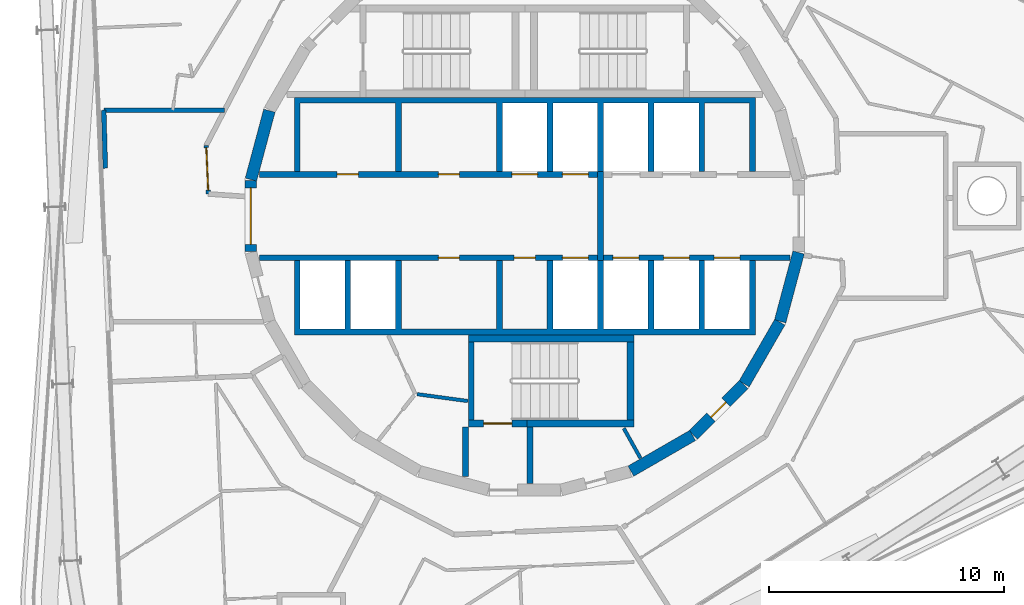
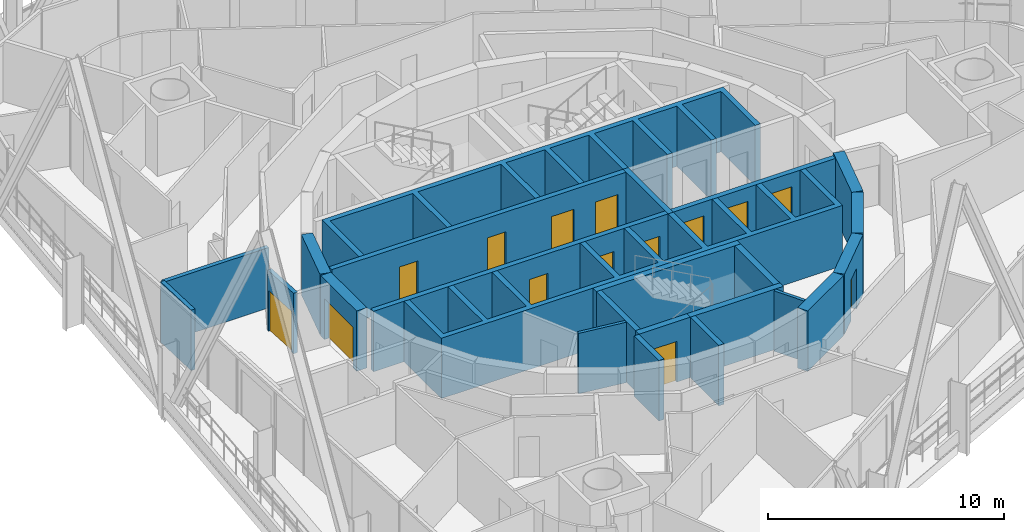
# One storey, part 13 of 20: 24 walls, 14 doors, 14 openings.
"""IFC4 building model written with IfcOpenShell, lengths in metres."""

from ifc_helpers import new_model, si_unit, direction, frame, frame_2d, origin, place, context, subcontext, project, spatial, polyline, rectangle, outline, extrude, material, layer, layer_set, type_object, element, fill, save


model = new_model("IFC4")

# Units and contexts
model_context = context("Model", 3, precision=1e-05, world=origin(), true_north=direction((0.0, 1.0)))
body_context = subcontext(model_context, "Body", "Model", "MODEL_VIEW")
ifc_project = project(units=[si_unit("LENGTHUNIT", "METRE"), si_unit("AREAUNIT", "SQUARE_METRE"), si_unit("VOLUMEUNIT", "CUBIC_METRE"), si_unit("PLANEANGLEUNIT", "RADIAN"), si_unit("MASSUNIT", "GRAM", prefix="KILO")], contexts=[model_context])

# Site, building, storey
site_placement = place(None, origin())
site = spatial("IfcSite", under=ifc_project, at=site_placement, CompositionType="ELEMENT")
building_placement = place(site_placement, origin())
building = spatial("IfcBuilding", under=site, at=building_placement, Name="Spindle Arch Residences", CompositionType="ELEMENT")
storey_placement = place(building_placement, frame((0.0, 0.0, 226.699951171875)))
storey = spatial("IfcBuildingStorey", under=building, at=storey_placement, Name="L57", CompositionType="ELEMENT", Elevation=226.699951171875)

# Wall
ifc_material_1 = material(Name="Concrete C50/60", Category="concrete")
ifc_layer_1 = layer(ifc_material_1, 0.5)
ifc_layer_set_1 = layer_set([ifc_layer_1], Name="Core outline wall 500")
wall_type_1 = type_object("IfcWallType", Name="Core outline wall 500", PredefinedType="SHEAR", material=ifc_layer_set_1)
wall_1_placement = place(storey_placement, frame((4.510498046875, -10.84521484375, 0.0), z_axis=(0.0, 0.0, 1.0), x_axis=(0.865975092491, 0.500087131594, 0.0)))
element("IfcWall", 1, at=wall_1_placement, inside=storey, type_object=wall_type_1, Name="Core outline wall 2", PredefinedType="SHEAR", context=body_context, shape_type="SweptSolid", body=[
    extrude(rectangle(XDim=3.03271484375, YDim=0.5, at=frame_2d((1.516357421875, 0.0))), origin(), (0.0, 0.0, 1.0), 3.1201171875),
])

# Wall, opening, door
wall_2_placement = place(storey_placement, frame((7.163818359375, -9.30810546875, 0.0), z_axis=(0.0, 0.0, 1.0), x_axis=(0.707106781187, 0.707106781187, 0.0)))
wall_2 = element("IfcWall", 2, at=wall_2_placement, inside=storey, type_object=wall_type_1, Name="Core outline wall 3", PredefinedType="SHEAR", context=body_context, shape_type="SweptSolid", body=[
    extrude(rectangle(XDim=3.032470703125, YDim=0.5, at=frame_2d((1.51611328125, 0.0))), origin(), (0.0, 0.0, 1.0), 3.1201171875),
])
opening_1_placement = place(wall_2_placement, frame((1.06640625, 0.0, 0.0)))
opening_1 = element("IfcOpeningElement", 3, at=opening_1_placement, cuts=wall_2, Name="Opening R6A0-WD08", PredefinedType="OPENING", context=body_context, shape_type="SweptSolid", body=[
    extrude(rectangle(XDim=0.89990234375, YDim=2.10009765625, at=frame_2d((0.449951171875, 1.050048828125))), frame((0.0, 0.260009765625, 0.0), z_axis=(0.0, -1.0, 0.0), x_axis=(1.0, 0.0, 0.0)), (0.0, 0.0, 1.0), 0.52001953125),
])
ifc_material_2 = material(Name="Steel, fire-resisting door", Category="steel")
door_type_1 = type_object("IfcDoorType", Name="Service room door 900x2100", OperationType="SINGLE_SWING_LEFT", PredefinedType="DOOR", material=ifc_material_2)
door_1_placement = place(opening_1_placement, origin())
door_1 = element("IfcDoor", 4, at=door_1_placement, inside=storey, type_object=door_type_1, Name="Service room door R6A0-WD08", OperationType="SINGLE_SWING_RIGHT", OverallHeight=2.10009765625, OverallWidth=0.89990234375, PredefinedType="DOOR", context=body_context, shape_type="SweptSolid", body=[
    extrude(rectangle(XDim=0.89990234375, YDim=2.10009765625, at=frame_2d((0.449951171875, 1.050048828125))), frame((0.0, 0.02490234375, 0.0), z_axis=(0.0, -1.0, 0.0), x_axis=(1.0, 0.0, 0.0)), (0.0, 0.0, 1.0), 0.050048828125),
])
fill(opening_1, door_1)

# Walls
for number, where, z_axis, x_axis, name in (
    (5, (9.32861328125, -7.13671875, 0.0), (0.0, 0.0, 1.0), (0.500087131594, 0.865975092491, 0.0), "Core outline wall 4"),
    (6, (10.858154296875, -4.479248046875, 0.0), (0.0, 0.0, 1.0), (0.258734743916, 0.965948410781, 0.0), "Core outline wall 5"),
    (7, (-10.858154296875, 4.479248046875, 0.0), (0.0, 0.0, 1.0), (-0.258734743916, -0.965948410781, 0.0), "Core outline wall 17"),
):
    element("IfcWall", number, at=place(storey_placement, frame(where, z_axis=z_axis, x_axis=x_axis)), inside=storey, type_object=wall_type_1, Name=name, PredefinedType="SHEAR", context=body_context, shape_type="SweptSolid", body=[
        extrude(rectangle(XDim=3.03271484375, YDim=0.5, at=frame_2d((1.516357421875, 0.0))), origin(), (0.0, 0.0, 1.0), 3.1201171875),
    ])

# Wall, opening, door
wall_3_placement = place(storey_placement, frame((-11.647216796875, 1.516357421875, 0.0), z_axis=(0.0, 0.0, 1.0), x_axis=(0.0, -1.0, 0.0)))
wall_3 = element("IfcWall", 8, at=wall_3_placement, inside=storey, type_object=wall_type_1, Name="Core outline wall 18", PredefinedType="SHEAR", context=body_context, shape_type="SweptSolid", body=[
    extrude(rectangle(XDim=3.03271484375, YDim=0.5, at=frame_2d((1.516357421875, 0.0))), origin(), (0.0, 0.0, 1.0), 3.1201171875),
])
opening_2_placement = place(wall_3_placement, frame((0.31640625, 0.0, 0.0)))
opening_2 = element("IfcOpeningElement", 9, at=opening_2_placement, cuts=wall_3, Name="Opening R6A0-LE01", PredefinedType="OPENING", context=body_context, shape_type="SweptSolid", body=[
    extrude(rectangle(XDim=2.39990234375, YDim=2.10009765625, at=frame_2d((1.199951171875, 1.050048828125))), frame((0.0, 0.260009765625, 0.0), z_axis=(0.0, -1.0, 0.0), x_axis=(1.0, 0.0, 0.0)), (0.0, 0.0, 1.0), 0.52001953125),
])
ifc_material_3 = material(Name="Steel, fire-resisting door", Category="steel")
door_type_2 = type_object("IfcDoorType", Name="Lift lobby entrance door 2400x2100", OperationType="DOUBLE_DOOR_SINGLE_SWING", PredefinedType="DOOR", material=ifc_material_3)
door_2_placement = place(opening_2_placement, origin())
door_2 = element("IfcDoor", 10, at=door_2_placement, inside=storey, type_object=door_type_2, Name="Lift lobby entrance door R6A0-LE01", OperationType="DOUBLE_DOOR_SINGLE_SWING", OverallHeight=2.10009765625, OverallWidth=2.39990234375, PredefinedType="DOOR", context=body_context, shape_type="SweptSolid", body=[
    extrude(rectangle(XDim=2.39990234375, YDim=2.10009765625, at=frame_2d((1.199951171875, 1.050048828125))), frame((0.0, 0.02490234375, 0.0), z_axis=(0.0, -1.0, 0.0), x_axis=(1.0, 0.0, 0.0)), (0.0, 0.0, 1.0), 0.050048828125),
])
fill(opening_2, door_2)

# Wall
ifc_material_4 = material(Name="Concrete C40/50", Category="concrete")
ifc_layer_2 = layer(ifc_material_4, 0.25)
ifc_layer_set_2 = layer_set([ifc_layer_2], Name="Fire-lift lobby wall 250")
wall_type_2 = type_object("IfcWallType", Name="Fire-lift lobby wall 250", PredefinedType="SHEAR", material=ifc_layer_set_2)
wall_4_placement = place(storey_placement, frame((3.22509765625, -1.89990234375, 0.0), z_axis=(0.0, 0.0, 1.0), x_axis=(0.0, 1.0, 0.0)))
element("IfcWall", 11, at=wall_4_placement, inside=storey, type_object=wall_type_2, Name="Fire-fighting lobby partition", PredefinedType="SHEAR", context=body_context, shape_type="SweptSolid", body=[
    extrude(rectangle(XDim=3.7998046875, YDim=0.25, at=frame_2d((1.89990234375, 0.0))), origin(), (0.0, 0.0, 1.0), 3.1201171875),
])

# Wall, openings, doors
ifc_material_5 = material(Name="Concrete C50/60", Category="concrete")
ifc_layer_3 = layer(ifc_material_5, 0.25)
ifc_layer_set_3 = layer_set([ifc_layer_3], Name="Fire-lift shaft wall 250")
wall_type_3 = type_object("IfcWallType", Name="Fire-lift shaft wall 250", PredefinedType="SHEAR", material=ifc_layer_set_3)
wall_5_placement = place(storey_placement, frame((3.35009765625, -1.77490234375, 0.0), z_axis=(0.0, 0.0, 1.0), x_axis=(1.0, 0.0, 0.0)))
wall_5 = element("IfcWall", 12, at=wall_5_placement, inside=storey, type_object=wall_type_3, Name="Lift shaft front wall SE", PredefinedType="SHEAR", context=body_context, shape_type="SweptSolid", body=[
    extrude(rectangle(XDim=7.929931640625, YDim=0.25, at=frame_2d((3.96484375, 0.0))), origin(), (0.0, 0.0, 1.0), 3.1201171875),
])
opening_3_placement = place(wall_5_placement, frame((0.39990234375, 0.0, 0.0)))
opening_3 = element("IfcOpeningElement", 13, at=opening_3_placement, cuts=wall_5, Name="Opening R6A0-FLD01", PredefinedType="OPENING", context=body_context, shape_type="SweptSolid", body=[
    extrude(rectangle(XDim=1.10009765625, YDim=2.39990234375, at=frame_2d((0.550048828125, 1.199951171875))), frame((0.0, 0.135009765625, 0.0), z_axis=(0.0, -1.0, 0.0), x_axis=(1.0, 0.0, 0.0)), (0.0, 0.0, 1.0), 0.27001953125),
])
opening_4_placement = place(wall_5_placement, frame((2.550048828125, 0.0, 0.0)))
opening_4 = element("IfcOpeningElement", 14, at=opening_4_placement, cuts=wall_5, Name="Opening R6A0-FLD02", PredefinedType="OPENING", context=body_context, shape_type="SweptSolid", body=[
    extrude(rectangle(XDim=1.10009765625, YDim=2.39990234375, at=frame_2d((0.550048828125, 1.199951171875))), frame((0.0, 0.135009765625, 0.0), z_axis=(0.0, -1.0, 0.0), x_axis=(1.0, 0.0, 0.0)), (0.0, 0.0, 1.0), 0.27001953125),
])
opening_5_placement = place(wall_5_placement, frame((4.699951171875, 0.0, 0.0)))
opening_5 = element("IfcOpeningElement", 15, at=opening_5_placement, cuts=wall_5, Name="Opening R6A0-FLD03", PredefinedType="OPENING", context=body_context, shape_type="SweptSolid", body=[
    extrude(rectangle(XDim=1.10009765625, YDim=2.39990234375, at=frame_2d((0.550048828125, 1.199951171875))), frame((0.0, 0.135009765625, 0.0), z_axis=(0.0, -1.0, 0.0), x_axis=(1.0, 0.0, 0.0)), (0.0, 0.0, 1.0), 0.27001953125),
])
ifc_material_6 = material(Name="Steel, fire-resisting landing door", Category="steel")
door_type_3 = type_object("IfcDoorType", Name="Fire-fighting lift landing door 1100x2400", OperationType="DOUBLE_DOOR_SLIDING", PredefinedType="DOOR", material=ifc_material_6)
door_3_placement = place(opening_3_placement, origin())
door_3 = element("IfcDoor", 16, at=door_3_placement, inside=storey, type_object=door_type_3, Name="Fire-fighting lift landing door R6A0-FLD01", OperationType="DOUBLE_DOOR_SLIDING", OverallHeight=2.39990234375, OverallWidth=1.10009765625, PredefinedType="DOOR", context=body_context, shape_type="SweptSolid", body=[
    extrude(rectangle(XDim=1.10009765625, YDim=2.39990234375, at=frame_2d((0.550048828125, 1.199951171875))), frame((0.0, 0.02490234375, 0.0), z_axis=(0.0, -1.0, 0.0), x_axis=(1.0, 0.0, 0.0)), (0.0, 0.0, 1.0), 0.050048828125),
])
fill(opening_3, door_3)
door_4_placement = place(opening_4_placement, origin())
door_4 = element("IfcDoor", 17, at=door_4_placement, inside=storey, type_object=door_type_3, Name="Fire-fighting lift landing door R6A0-FLD02", OperationType="DOUBLE_DOOR_SLIDING", OverallHeight=2.39990234375, OverallWidth=1.10009765625, PredefinedType="DOOR", context=body_context, shape_type="SweptSolid", body=[
    extrude(rectangle(XDim=1.10009765625, YDim=2.39990234375, at=frame_2d((0.550048828125, 1.199951171875))), frame((0.0, 0.02490234375, 0.0), z_axis=(0.0, -1.0, 0.0), x_axis=(1.0, 0.0, 0.0)), (0.0, 0.0, 1.0), 0.050048828125),
])
fill(opening_4, door_4)
door_5_placement = place(opening_5_placement, origin())
door_5 = element("IfcDoor", 18, at=door_5_placement, inside=storey, type_object=door_type_3, Name="Fire-fighting lift landing door R6A0-FLD03", OperationType="DOUBLE_DOOR_SLIDING", OverallHeight=2.39990234375, OverallWidth=1.10009765625, PredefinedType="DOOR", context=body_context, shape_type="SweptSolid", body=[
    extrude(rectangle(XDim=1.10009765625, YDim=2.39990234375, at=frame_2d((0.550048828125, 1.199951171875))), frame((0.0, 0.02490234375, 0.0), z_axis=(0.0, -1.0, 0.0), x_axis=(1.0, 0.0, 0.0)), (0.0, 0.0, 1.0), 0.050048828125),
])
fill(opening_5, door_5)

# Wall, opening, door
ifc_material_7 = material(Name="Calcium silicate block, plastered")
ifc_layer_4 = layer(ifc_material_7, 0.199951171875)
ifc_layer_set_4 = layer_set([ifc_layer_4], Name="Lift lobby bay wall 200")
wall_type_4 = type_object("IfcWallType", Name="Lift lobby bay wall 200", PredefinedType="STANDARD", material=ifc_layer_set_4)
wall_6_placement = place(storey_placement, frame((-13.5439453125, 3.002685546875, 0.0), z_axis=(0.0, 0.0, 1.0), x_axis=(0.043652842459, -0.99904676034, 0.0)))
wall_6 = element("IfcWall", 19, at=wall_6_placement, inside=storey, type_object=wall_type_4, Name="Lift lobby bay wall R6A0-W008", PredefinedType="STANDARD", context=body_context, shape_type="SweptSolid", body=[
    extrude(rectangle(XDim=2.063720703125, YDim=0.199951171875, at=frame_2d((1.03173828125, 0.0))), origin(), (0.0, 0.0, 1.0), 3.1201171875),
])
opening_6_placement = place(wall_6_placement, frame((0.10009765625, 0.0, 0.0)))
opening_6 = element("IfcOpeningElement", 20, at=opening_6_placement, cuts=wall_6, Name="Opening R6A0-LB01", PredefinedType="OPENING", context=body_context, shape_type="SweptSolid", body=[
    extrude(rectangle(XDim=1.800048828125, YDim=2.10009765625, at=frame_2d((0.89990234375, 1.050048828125))), frame((0.0, 0.10986328125, 0.0), z_axis=(0.0, -1.0, 0.0), x_axis=(1.0, 0.0, 0.0)), (0.0, 0.0, 1.0), 0.219970703125),
])
ifc_material_8 = material(Name="Steel, fire-resisting door", Category="steel")
door_type_4 = type_object("IfcDoorType", Name="Lift lobby bay door 1800x2100", OperationType="NOTDEFINED", PredefinedType="DOOR", material=ifc_material_8)
door_6_placement = place(opening_6_placement, origin())
door_6 = element("IfcDoor", 21, at=door_6_placement, inside=storey, type_object=door_type_4, Name="Lift lobby bay door R6A0-LB01", OperationType="DOUBLE_DOOR_SINGLE_SWING", OverallHeight=2.10009765625, OverallWidth=1.800048828125, PredefinedType="DOOR", context=body_context, shape_type="SweptSolid", body=[
    extrude(rectangle(XDim=1.800048828125, YDim=2.10009765625, at=frame_2d((0.89990234375, 1.050048828125))), frame((0.0, 0.02490234375, 0.0), z_axis=(0.0, -1.0, 0.0), x_axis=(1.0, 0.0, 0.0)), (0.0, 0.0, 1.0), 0.050048828125),
])
fill(opening_6, door_6)

# Walls
wall_7_placement = place(storey_placement, frame((-12.764404296875, 4.5, 0.0), z_axis=(0.0, 0.0, 1.0), x_axis=(-1.0, 0.0, 0.0)))
element("IfcWall", 22, at=wall_7_placement, inside=storey, type_object=wall_type_4, Name="Lift lobby bay wall R6A0-W022", PredefinedType="STANDARD", context=body_context, shape_type="SweptSolid", body=[
    extrude(rectangle(XDim=5.135498046875, YDim=0.199951171875, at=frame_2d((2.56787109375, 0.0))), origin(), (0.0, 0.0, 1.0), 3.1201171875),
])
wall_8_placement = place(storey_placement, frame((-17.89990234375, 4.5, 0.0), z_axis=(0.0, 0.0, 1.0), x_axis=(0.027204178319, -0.999629897853, 0.0)))
element("IfcWall", 23, at=wall_8_placement, inside=storey, type_object=wall_type_4, Name="Lift lobby bay wall R6A0-W023", PredefinedType="STANDARD", context=body_context, shape_type="SweptSolid", body=[
    extrude(rectangle(XDim=2.468017578125, YDim=0.199951171875, at=frame_2d((1.23388671875, 0.0))), origin(), (0.0, 0.0, 1.0), 3.1201171875),
])

# Wall, openings, doors
ifc_material_9 = material(Name="Concrete C50/60", Category="concrete")
ifc_layer_5 = layer(ifc_material_9, 0.25)
ifc_layer_set_5 = layer_set([ifc_layer_5], Name="Lift shaft wall 250")
wall_type_5 = type_object("IfcWallType", Name="Lift shaft wall 250", PredefinedType="SHEAR", material=ifc_layer_set_5)
wall_9_placement = place(storey_placement, frame((-11.280029296875, 1.77490234375, 0.0), z_axis=(0.0, 0.0, 1.0), x_axis=(1.0, 0.0, 0.0)))
wall_9 = element("IfcWall", 24, at=wall_9_placement, inside=storey, type_object=wall_type_5, Name="Lift shaft front wall NW", PredefinedType="SHEAR", context=body_context, shape_type="SweptSolid", body=[
    extrude(rectangle(XDim=14.380126953125, YDim=0.25, at=frame_2d((7.18994140625, 0.0))), origin(), (0.0, 0.0, 1.0), 3.1201171875),
])
opening_7_placement = place(wall_9_placement, frame((10.72998046875, 0.0, 0.0)))
opening_7 = element("IfcOpeningElement", 25, at=opening_7_placement, cuts=wall_9, Name="Opening R6A0-LD01", PredefinedType="OPENING", context=body_context, shape_type="SweptSolid", body=[
    extrude(rectangle(XDim=1.10009765625, YDim=2.10009765625, at=frame_2d((0.550048828125, 1.050048828125))), frame((0.0, 0.135009765625, 0.0), z_axis=(0.0, -1.0, 0.0), x_axis=(1.0, 0.0, 0.0)), (0.0, 0.0, 1.0), 0.27001953125),
])
opening_8_placement = place(wall_9_placement, frame((12.8798828125, 0.0, 0.0)))
opening_8 = element("IfcOpeningElement", 26, at=opening_8_placement, cuts=wall_9, Name="Opening R6A0-LD02", PredefinedType="OPENING", context=body_context, shape_type="SweptSolid", body=[
    extrude(rectangle(XDim=1.10009765625, YDim=2.10009765625, at=frame_2d((0.550048828125, 1.050048828125))), frame((0.0, 0.135009765625, 0.0), z_axis=(0.0, -1.0, 0.0), x_axis=(1.0, 0.0, 0.0)), (0.0, 0.0, 1.0), 0.27001953125),
])
opening_9_placement = place(wall_9_placement, frame((3.304931640625, 0.0, 0.0)))
opening_9 = element("IfcOpeningElement", 27, at=opening_9_placement, cuts=wall_9, Name="Opening R6A0-WD01", PredefinedType="OPENING", context=body_context, shape_type="SweptSolid", body=[
    extrude(rectangle(XDim=0.89990234375, YDim=2.10009765625, at=frame_2d((0.449951171875, 1.050048828125))), frame((0.0, 0.135009765625, 0.0), z_axis=(0.0, -1.0, 0.0), x_axis=(1.0, 0.0, 0.0)), (0.0, 0.0, 1.0), 0.27001953125),
])
opening_10_placement = place(wall_9_placement, frame((7.60498046875, 0.0, 0.0)))
opening_10 = element("IfcOpeningElement", 28, at=opening_10_placement, cuts=wall_9, Name="Opening R6A0-WD02", PredefinedType="OPENING", context=body_context, shape_type="SweptSolid", body=[
    extrude(rectangle(XDim=0.89990234375, YDim=2.10009765625, at=frame_2d((0.449951171875, 1.050048828125))), frame((0.0, 0.135009765625, 0.0), z_axis=(0.0, -1.0, 0.0), x_axis=(1.0, 0.0, 0.0)), (0.0, 0.0, 1.0), 0.27001953125),
])
ifc_material_10 = material(Name="Steel, fire-resisting landing door", Category="steel")
door_type_5 = type_object("IfcDoorType", Name="Lift landing door 1100x2100", OperationType="DOUBLE_DOOR_SLIDING", PredefinedType="DOOR", material=ifc_material_10)
door_7_placement = place(opening_7_placement, origin())
door_7 = element("IfcDoor", 29, at=door_7_placement, inside=storey, type_object=door_type_5, Name="Lift landing door R6A0-LD01", OperationType="DOUBLE_DOOR_SLIDING", OverallHeight=2.10009765625, OverallWidth=1.10009765625, PredefinedType="DOOR", context=body_context, shape_type="SweptSolid", body=[
    extrude(rectangle(XDim=1.10009765625, YDim=2.10009765625, at=frame_2d((0.550048828125, 1.050048828125))), frame((0.0, 0.02490234375, 0.0), z_axis=(0.0, -1.0, 0.0), x_axis=(1.0, 0.0, 0.0)), (0.0, 0.0, 1.0), 0.050048828125),
])
fill(opening_7, door_7)
door_8_placement = place(opening_8_placement, origin())
door_8 = element("IfcDoor", 30, at=door_8_placement, inside=storey, type_object=door_type_5, Name="Lift landing door R6A0-LD02", OperationType="DOUBLE_DOOR_SLIDING", OverallHeight=2.10009765625, OverallWidth=1.10009765625, PredefinedType="DOOR", context=body_context, shape_type="SweptSolid", body=[
    extrude(rectangle(XDim=1.10009765625, YDim=2.10009765625, at=frame_2d((0.550048828125, 1.050048828125))), frame((0.0, 0.02490234375, 0.0), z_axis=(0.0, -1.0, 0.0), x_axis=(1.0, 0.0, 0.0)), (0.0, 0.0, 1.0), 0.050048828125),
])
fill(opening_8, door_8)
door_9_placement = place(opening_9_placement, origin())
door_9 = element("IfcDoor", 31, at=door_9_placement, inside=storey, type_object=door_type_1, Name="Service room door R6A0-WD01", OperationType="SINGLE_SWING_LEFT", OverallHeight=2.10009765625, OverallWidth=0.89990234375, PredefinedType="DOOR", context=body_context, shape_type="SweptSolid", body=[
    extrude(rectangle(XDim=0.89990234375, YDim=2.10009765625, at=frame_2d((0.449951171875, 1.050048828125))), frame((0.0, 0.02490234375, 0.0), z_axis=(0.0, -1.0, 0.0), x_axis=(1.0, 0.0, 0.0)), (0.0, 0.0, 1.0), 0.050048828125),
])
fill(opening_9, door_9)
door_10_placement = place(opening_10_placement, origin())
door_10 = element("IfcDoor", 32, at=door_10_placement, inside=storey, type_object=door_type_1, Name="Service room door R6A0-WD02", OperationType="SINGLE_SWING_RIGHT", OverallHeight=2.10009765625, OverallWidth=0.89990234375, PredefinedType="DOOR", context=body_context, shape_type="SweptSolid", body=[
    extrude(rectangle(XDim=0.89990234375, YDim=2.10009765625, at=frame_2d((0.449951171875, 1.050048828125))), frame((0.0, 0.02490234375, 0.0), z_axis=(0.0, -1.0, 0.0), x_axis=(1.0, 0.0, 0.0)), (0.0, 0.0, 1.0), 0.050048828125),
])
fill(opening_10, door_10)

wall_10_placement = place(storey_placement, frame((-11.280029296875, -1.77490234375, 0.0), z_axis=(0.0, 0.0, 1.0), x_axis=(1.0, 0.0, 0.0)))
wall_10 = element("IfcWall", 33, at=wall_10_placement, inside=storey, type_object=wall_type_5, Name="Lift shaft front wall SW", PredefinedType="SHEAR", context=body_context, shape_type="SweptSolid", body=[
    extrude(rectangle(XDim=14.380126953125, YDim=0.25, at=frame_2d((7.18994140625, 0.0))), origin(), (0.0, 0.0, 1.0), 3.1201171875),
])
opening_11_placement = place(wall_10_placement, frame((12.8798828125, 0.0, 0.0)))
opening_11 = element("IfcOpeningElement", 34, at=opening_11_placement, cuts=wall_10, Name="Opening R6A0-LD03", PredefinedType="OPENING", context=body_context, shape_type="SweptSolid", body=[
    extrude(rectangle(XDim=1.10009765625, YDim=2.10009765625, at=frame_2d((0.550048828125, 1.050048828125))), frame((0.0, 0.135009765625, 0.0), z_axis=(0.0, -1.0, 0.0), x_axis=(1.0, 0.0, 0.0)), (0.0, 0.0, 1.0), 0.27001953125),
])
opening_12_placement = place(wall_10_placement, frame((7.60498046875, 0.0, 0.0)))
opening_12 = element("IfcOpeningElement", 35, at=opening_12_placement, cuts=wall_10, Name="Opening R6A0-WD04", PredefinedType="OPENING", context=body_context, shape_type="SweptSolid", body=[
    extrude(rectangle(XDim=0.89990234375, YDim=2.10009765625, at=frame_2d((0.449951171875, 1.050048828125))), frame((0.0, 0.135009765625, 0.0), z_axis=(0.0, -1.0, 0.0), x_axis=(1.0, 0.0, 0.0)), (0.0, 0.0, 1.0), 0.27001953125),
])
opening_13_placement = place(wall_10_placement, frame((10.830078125, 0.0, 0.0)))
opening_13 = element("IfcOpeningElement", 36, at=opening_13_placement, cuts=wall_10, Name="Opening R6A0-WD05", PredefinedType="OPENING", context=body_context, shape_type="SweptSolid", body=[
    extrude(rectangle(XDim=0.89990234375, YDim=2.10009765625, at=frame_2d((0.449951171875, 1.050048828125))), frame((0.0, 0.135009765625, 0.0), z_axis=(0.0, -1.0, 0.0), x_axis=(1.0, 0.0, 0.0)), (0.0, 0.0, 1.0), 0.27001953125),
])
door_11_placement = place(opening_11_placement, origin())
door_11 = element("IfcDoor", 37, at=door_11_placement, inside=storey, type_object=door_type_5, Name="Lift landing door R6A0-LD03", OperationType="DOUBLE_DOOR_SLIDING", OverallHeight=2.10009765625, OverallWidth=1.10009765625, PredefinedType="DOOR", context=body_context, shape_type="SweptSolid", body=[
    extrude(rectangle(XDim=1.10009765625, YDim=2.10009765625, at=frame_2d((0.550048828125, 1.050048828125))), frame((0.0, 0.02490234375, 0.0), z_axis=(0.0, -1.0, 0.0), x_axis=(1.0, 0.0, 0.0)), (0.0, 0.0, 1.0), 0.050048828125),
])
fill(opening_11, door_11)
door_12_placement = place(opening_12_placement, origin())
door_12 = element("IfcDoor", 38, at=door_12_placement, inside=storey, type_object=door_type_1, Name="Service room door R6A0-WD04", OperationType="SINGLE_SWING_RIGHT", OverallHeight=2.10009765625, OverallWidth=0.89990234375, PredefinedType="DOOR", context=body_context, shape_type="SweptSolid", body=[
    extrude(rectangle(XDim=0.89990234375, YDim=2.10009765625, at=frame_2d((0.449951171875, 1.050048828125))), frame((0.0, 0.02490234375, 0.0), z_axis=(0.0, -1.0, 0.0), x_axis=(1.0, 0.0, 0.0)), (0.0, 0.0, 1.0), 0.050048828125),
])
fill(opening_12, door_12)
door_13_placement = place(opening_13_placement, origin())
door_13 = element("IfcDoor", 39, at=door_13_placement, inside=storey, type_object=door_type_1, Name="Service room door R6A0-WD05", OperationType="SINGLE_SWING_LEFT", OverallHeight=2.10009765625, OverallWidth=0.89990234375, PredefinedType="DOOR", context=body_context, shape_type="SweptSolid", body=[
    extrude(rectangle(XDim=0.89990234375, YDim=2.10009765625, at=frame_2d((0.449951171875, 1.050048828125))), frame((0.0, 0.02490234375, 0.0), z_axis=(0.0, -1.0, 0.0), x_axis=(1.0, 0.0, 0.0)), (0.0, 0.0, 1.0), 0.050048828125),
])
fill(opening_13, door_13)

# Walls
ifc_material_11 = material(Name="Concrete C50/60", Category="concrete")
wall_type_6 = type_object("IfcWallType", Name="Lift shaft wall profile", PredefinedType="SHEAR", material=ifc_material_11)
wall_11_placement = place(storey_placement, origin())
element("IfcWall", 40, at=wall_11_placement, inside=storey, type_object=wall_type_6, Name="Lift shaft walls N", PredefinedType="SHEAR", context=body_context, shape_type="SweptSolid", body=[
    extrude(outline(polyline([(-9.550048828125, 4.800048828125), (-5.5, 4.800048828125), (-5.5, 1.89990234375), (-5.25, 1.89990234375), (-5.25, 4.800048828125), (-1.199951171875, 4.800048828125), (-1.199951171875, 1.89990234375), (-0.949951171875, 1.89990234375), (-0.949951171875, 4.800048828125), (0.949951171875, 4.800048828125), (0.949951171875, 1.89990234375), (1.199951171875, 1.89990234375), (1.199951171875, 4.800048828125), (3.10009765625, 4.800048828125), (3.10009765625, 1.89990234375), (3.35009765625, 1.89990234375), (3.35009765625, 4.800048828125), (5.25, 4.800048828125), (5.25, 1.89990234375), (5.5, 1.89990234375), (5.5, 4.800048828125), (7.39990234375, 4.800048828125), (7.39990234375, 1.89990234375), (7.64990234375, 1.89990234375), (7.64990234375, 4.800048828125), (9.550048828125, 4.800048828125), (9.550048828125, 1.89990234375), (9.800048828125, 1.89990234375), (9.800048828125, 4.800048828125), (9.800048828125, 5.050048828125), (-9.800048828125, 5.050048828125), (-9.800048828125, 4.800048828125), (-9.800048828125, 1.89990234375), (-9.550048828125, 1.89990234375), (-9.550048828125, 4.800048828125)])), origin(), (0.0, 0.0, 1.0), 3.1201171875),
])
wall_12_placement = place(storey_placement, origin())
element("IfcWall", 41, at=wall_12_placement, inside=storey, type_object=wall_type_6, Name="Lift shaft walls S", PredefinedType="SHEAR", context=body_context, shape_type="SweptSolid", body=[
    extrude(outline(polyline([(9.800048828125, -5.050048828125), (9.800048828125, -4.800048828125), (9.800048828125, -1.89990234375), (9.550048828125, -1.89990234375), (9.550048828125, -4.800048828125), (7.64990234375, -4.800048828125), (7.64990234375, -1.89990234375), (7.39990234375, -1.89990234375), (7.39990234375, -4.800048828125), (5.5, -4.800048828125), (5.5, -1.89990234375), (5.25, -1.89990234375), (5.25, -4.800048828125), (3.35009765625, -4.800048828125), (3.35009765625, -1.89990234375), (3.10009765625, -1.89990234375), (3.10009765625, -4.800048828125), (1.199951171875, -4.800048828125), (1.199951171875, -1.89990234375), (0.949951171875, -1.89990234375), (0.949951171875, -4.800048828125), (-0.949951171875, -4.800048828125), (-0.949951171875, -1.89990234375), (-1.199951171875, -1.89990234375), (-1.199951171875, -4.800048828125), (-5.25, -4.800048828125), (-5.25, -1.89990234375), (-5.5, -1.89990234375), (-5.5, -4.800048828125), (-7.39990234375, -4.800048828125), (-7.39990234375, -1.89990234375), (-7.64990234375, -1.89990234375), (-7.64990234375, -4.800048828125), (-9.550048828125, -4.800048828125), (-9.550048828125, -1.89990234375), (-9.800048828125, -1.89990234375), (-9.800048828125, -4.800048828125), (-9.800048828125, -5.050048828125), (9.800048828125, -5.050048828125)])), origin(), (0.0, 0.0, 1.0), 3.1201171875),
])
ifc_material_12 = material(Name="Concrete C25/30", Category="concrete")
ifc_layer_6 = layer(ifc_material_12, 0.14990234375)
ifc_layer_set_6 = layer_set([ifc_layer_6], Name="Service room partition 150")
wall_type_7 = type_object("IfcWallType", Name="Service room partition 150", PredefinedType="PARTITIONING", material=ifc_layer_set_6)
wall_13_placement = place(storey_placement, frame((4.922119140625, -10.295654296875, 0.0), z_axis=(0.0, 0.0, 1.0), x_axis=(-0.48860846254, 0.872503163509, 0.0)))
element("IfcWall", 42, at=wall_13_placement, inside=storey, type_object=wall_type_7, Name="Core service room partition", PredefinedType="PARTITIONING", context=body_context, shape_type="SweptSolid", body=[
    extrude(rectangle(XDim=1.45947265625, YDim=0.14990234375, at=frame_2d((0.729736328125, 0.0))), origin(), (0.0, 0.0, 1.0), 3.1201171875),
])
wall_14_placement = place(storey_placement, frame((-2.419921875, -7.865234375, 0.0), z_axis=(0.0, 0.0, 1.0), x_axis=(-0.990972299108, 0.134066783362, 0.0)))
element("IfcWall", 43, at=wall_14_placement, inside=storey, type_object=wall_type_7, Name="Core service room partition", PredefinedType="PARTITIONING", context=body_context, shape_type="SweptSolid", body=[
    extrude(rectangle(XDim=2.176025390625, YDim=0.14990234375, at=frame_2d((1.087890625, 0.0))), origin(), (0.0, 0.0, 1.0), 3.1201171875),
])
ifc_material_13 = material(Name="Concrete C40/50", Category="concrete")
ifc_layer_7 = layer(ifc_material_13, 0.25)
ifc_layer_set_7 = layer_set([ifc_layer_7], Name="Stair airlock wall 250")
wall_type_8 = type_object("IfcWallType", Name="Stair airlock wall 250", PredefinedType="SHEAR", material=ifc_layer_set_7)
wall_15_placement = place(storey_placement, frame((-2.52490234375, -8.969970703125, 0.0), z_axis=(0.0, 0.0, 1.0), x_axis=(0.0, -1.0, 0.0)))
element("IfcWall", 44, at=wall_15_placement, inside=storey, type_object=wall_type_8, Name="Stair ST-3 airlock wall W", PredefinedType="SHEAR", context=body_context, shape_type="SweptSolid", body=[
    extrude(rectangle(XDim=2.110107421875, YDim=0.25, at=frame_2d((1.05517578125, 0.0))), origin(), (0.0, 0.0, 1.0), 3.1201171875),
])
wall_16_placement = place(storey_placement, frame((0.22509765625, -8.969970703125, 0.0), z_axis=(0.0, 0.0, 1.0), x_axis=(0.0, -1.0, 0.0)))
element("IfcWall", 45, at=wall_16_placement, inside=storey, type_object=wall_type_8, Name="Stair ST-3 airlock wall E", PredefinedType="SHEAR", context=body_context, shape_type="SweptSolid", body=[
    extrude(rectangle(XDim=2.409912109375, YDim=0.25, at=frame_2d((1.205078125, 0.0))), origin(), (0.0, 0.0, 1.0), 3.1201171875),
])
ifc_material_14 = material(Name="Concrete C50/60", Category="concrete")
ifc_layer_8 = layer(ifc_material_14, 0.25)
ifc_layer_set_8 = layer_set([ifc_layer_8], Name="Stair enclosure wall 250")
wall_type_9 = type_object("IfcWallType", Name="Stair enclosure wall 250", PredefinedType="SHEAR", material=ifc_layer_set_8)
wall_17_placement = place(storey_placement, frame((-2.27490234375, -8.669921875, 0.0), z_axis=(0.0, 0.0, 1.0), x_axis=(0.0, 1.0, 0.0)))
element("IfcWall", 46, at=wall_17_placement, inside=storey, type_object=wall_type_9, Name="Stair ST-3 enclosure wall W", PredefinedType="SHEAR", context=body_context, shape_type="SweptSolid", body=[
    extrude(rectangle(XDim=3.31982421875, YDim=0.25, at=frame_2d((1.659912109375, 0.0))), origin(), (0.0, 0.0, 1.0), 3.1201171875),
])
ifc_material_15 = material(Name="Concrete C50/60", Category="concrete")
ifc_layer_9 = layer(ifc_material_15, 0.300048828125)
ifc_layer_set_9 = layer_set([ifc_layer_9], Name="Stair enclosure wall 300")
wall_type_10 = type_object("IfcWallType", Name="Stair enclosure wall 300", PredefinedType="SHEAR", material=ifc_layer_set_9)
wall_18_placement = place(storey_placement, frame((-2.39990234375, -5.199951171875, 0.0), z_axis=(0.0, 0.0, 1.0), x_axis=(1.0, 0.0, 0.0)))
element("IfcWall", 47, at=wall_18_placement, inside=storey, type_object=wall_type_10, Name="Stair ST-3 enclosure wall N", PredefinedType="SHEAR", context=body_context, shape_type="SweptSolid", body=[
    extrude(rectangle(XDim=7.0498046875, YDim=0.300048828125, at=frame_2d((3.52490234375, 0.0))), origin(), (0.0, 0.0, 1.0), 3.1201171875),
])
wall_19_placement = place(storey_placement, frame((4.5, -8.669921875, 0.0), z_axis=(0.0, 0.0, 1.0), x_axis=(0.0, 1.0, 0.0)))
element("IfcWall", 48, at=wall_19_placement, inside=storey, type_object=wall_type_10, Name="Stair ST-3 enclosure wall E", PredefinedType="SHEAR", context=body_context, shape_type="SweptSolid", body=[
    extrude(rectangle(XDim=3.31982421875, YDim=0.300048828125, at=frame_2d((1.659912109375, 0.0))), origin(), (0.0, 0.0, 1.0), 3.1201171875),
])
wall_20_placement = place(storey_placement, frame((0.10009765625, -8.820068359375, 0.0), z_axis=(0.0, 0.0, 1.0), x_axis=(1.0, 0.0, 0.0)))
element("IfcWall", 49, at=wall_20_placement, inside=storey, type_object=wall_type_10, Name="Stair ST-3 enclosure wall S", PredefinedType="SHEAR", context=body_context, shape_type="SweptSolid", body=[
    extrude(rectangle(XDim=4.5498046875, YDim=0.300048828125, at=frame_2d((2.27490234375, 0.0))), origin(), (0.0, 0.0, 1.0), 3.1201171875),
])

# Wall, opening, door
wall_21_placement = place(storey_placement, frame((-2.39990234375, -8.820068359375, 0.0), z_axis=(0.0, 0.0, 1.0), x_axis=(1.0, 0.0, 0.0)))
wall_21 = element("IfcWall", 50, at=wall_21_placement, inside=storey, type_object=wall_type_10, Name="Stair ST-3 door wall", PredefinedType="SHEAR", context=body_context, shape_type="SweptSolid", body=[
    extrude(rectangle(XDim=2.5, YDim=0.300048828125, at=frame_2d((1.25, 0.0))), origin(), (0.0, 0.0, 1.0), 3.1201171875),
])
opening_14_placement = place(wall_21_placement, frame((0.64990234375, 0.0, 0.0)))
opening_14 = element("IfcOpeningElement", 51, at=opening_14_placement, cuts=wall_21, Name="Opening R6A0-SD03", PredefinedType="OPENING", context=body_context, shape_type="SweptSolid", body=[
    extrude(rectangle(XDim=1.199951171875, YDim=2.10009765625, at=frame_2d((0.60009765625, 1.050048828125))), frame((0.0, 0.16015625, 0.0), z_axis=(0.0, -1.0, 0.0), x_axis=(1.0, 0.0, 0.0)), (0.0, 0.0, 1.0), 0.320068359375),
])
ifc_material_16 = material(Name="Steel, fire-resisting door", Category="steel")
door_type_6 = type_object("IfcDoorType", Name="Stair door 1200x2100", OperationType="SINGLE_SWING_RIGHT", PredefinedType="DOOR", material=ifc_material_16)
door_14_placement = place(opening_14_placement, origin())
door_14 = element("IfcDoor", 52, at=door_14_placement, inside=storey, type_object=door_type_6, Name="Stair door R6A0-SD03", OperationType="SINGLE_SWING_LEFT", OverallHeight=2.10009765625, OverallWidth=1.199951171875, PredefinedType="DOOR", context=body_context, shape_type="SweptSolid", body=[
    extrude(rectangle(XDim=1.199951171875, YDim=2.10009765625, at=frame_2d((0.60009765625, 1.050048828125))), frame((0.0, 0.02490234375, 0.0), z_axis=(0.0, -1.0, 0.0), x_axis=(1.0, 0.0, 0.0)), (0.0, 0.0, 1.0), 0.050048828125),
])
fill(opening_14, door_14)

save(model, "model.ifc")
